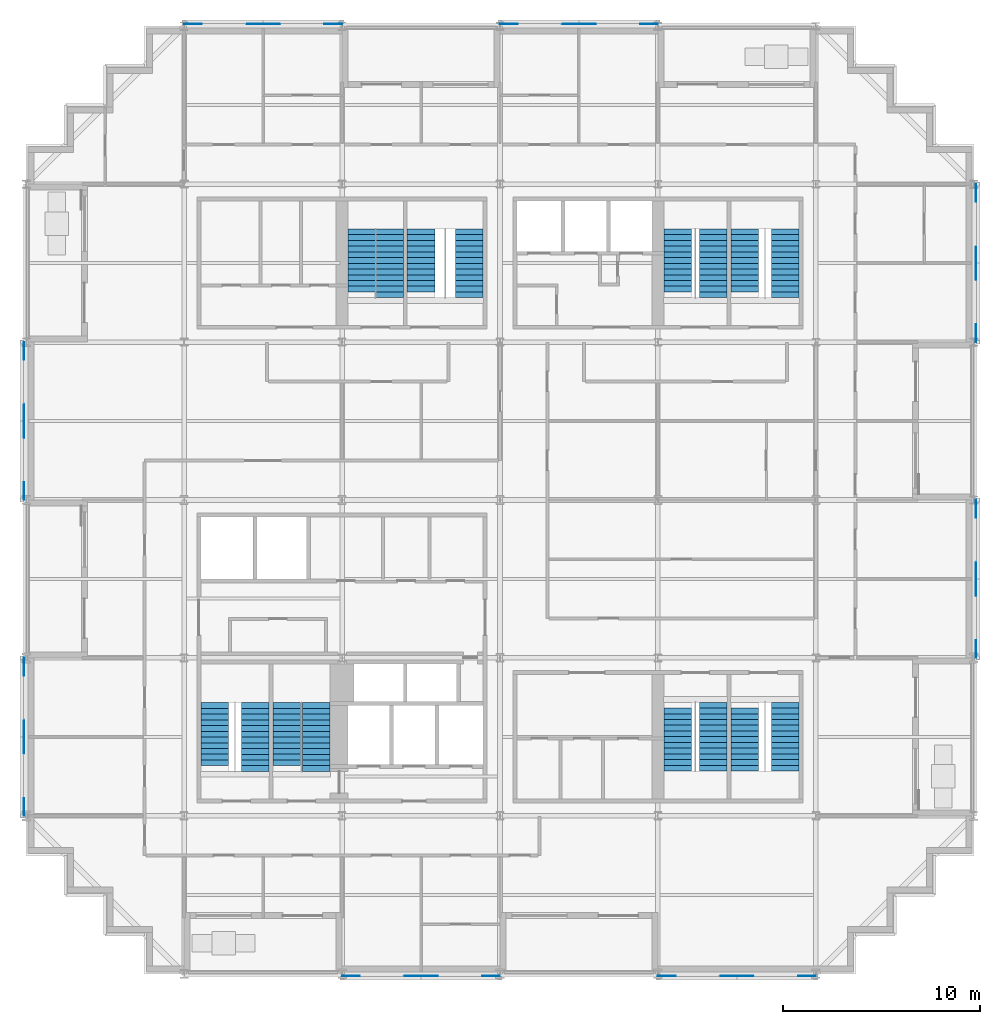
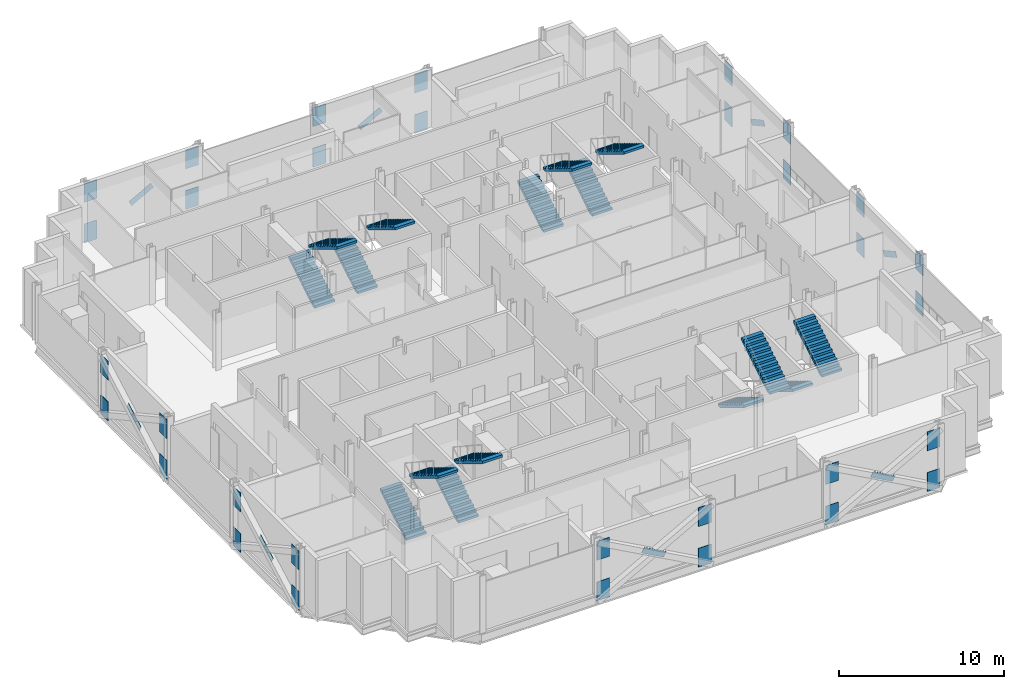
# One storey, part 12 of 15: 40 discrete accessories, 16 stair flights, 8 elements without a shape of their own.
"""IFC4 building model written with IfcOpenShell, lengths in metres."""

from ifc_helpers import new_model, si_unit, direction, frame, origin, origin_2d, place, context, subcontext, project, spatial, polyline, rectangle, outline, extrude, material, material_profile, profile_set, type_object, element, aggregate, save


model = new_model("IFC4")

# Units and contexts
model_context = context("Model", 3, precision=1e-05, world=origin(), true_north=direction((0.0, 1.0)))
body_context = subcontext(model_context, "Body", "Model", "MODEL_VIEW")
ifc_project = project(units=[si_unit("LENGTHUNIT", "METRE"), si_unit("AREAUNIT", "SQUARE_METRE"), si_unit("VOLUMEUNIT", "CUBIC_METRE"), si_unit("PLANEANGLEUNIT", "RADIAN"), si_unit("MASSUNIT", "GRAM", prefix="KILO")], contexts=[model_context])

# Site, building, storey
site_placement = place(None, origin())
site = spatial("IfcSite", under=ifc_project, at=site_placement, CompositionType="ELEMENT")
building_placement = place(site_placement, origin())
building = spatial("IfcBuilding", under=site, at=building_placement, Name="Immortelle Media Tower", CompositionType="ELEMENT")
storey_placement = place(building_placement, frame((0.0, 0.0, 65.60009765625)))
storey = spatial("IfcBuildingStorey", under=building, at=storey_placement, Name="L11", CompositionType="ELEMENT", Elevation=65.60009765625)

# Stair, stair flights
ifc_material_1 = material(Name="Steel ASTM A992 Gr 50", Category="steel")
stair_type = type_object("IfcStairType", Name="Stair with flights", PredefinedType="DOUBLE_RETURN_STAIR", material=ifc_material_1)
stair_1_placement = place(storey_placement, origin())
stair_1 = element("IfcStair", 1, at=stair_1_placement, inside=storey, type_object=stair_type, Name="Exit stair SW1", PredefinedType="DOUBLE_RETURN_STAIR")
stair_flight_type = type_object("IfcStairFlightType", Name="Stair flight 1400", PredefinedType="STRAIGHT", material=ifc_material_1)
stair_flight_1_placement = place(storey_placement, frame((9.550048828125, 10.5400390625, 0.0), z_axis=(0.0, 0.0, 1.0), x_axis=(0.0, 1.0, 0.0)))
stair_flight_1 = element("IfcStairFlight", 2, at=stair_flight_1_placement, type_object=stair_flight_type, Name="ST SW1 flight 1", NumberOfRisers=12, NumberOfTreads=11, PredefinedType="STRAIGHT", RiserHeight=0.176, TreadLength=0.29, context=body_context, shape_type="SweptSolid", body=[
    extrude(outline(polyline([(0.0, 0.0), (0.0, 0.176025390625), (0.2900390625, 0.176025390625), (0.2900390625, 0.35205078125), (0.580078125, 0.35205078125), (0.580078125, 0.528076171875), (0.8701171875, 0.528076171875), (0.8701171875, 0.7041015625), (1.159912109375, 0.7041015625), (1.159912109375, 0.8798828125), (1.449951171875, 0.8798828125), (1.449951171875, 1.055908203125), (1.739990234375, 1.055908203125), (1.739990234375, 1.23193359375), (2.030029296875, 1.23193359375), (2.030029296875, 1.407958984375), (2.320068359375, 1.407958984375), (2.320068359375, 1.583984375), (2.610107421875, 1.583984375), (2.610107421875, 1.760009765625), (2.89990234375, 1.760009765625), (2.89990234375, 1.93603515625), (3.18994140625, 1.93603515625), (3.18994140625, 2.112060546875), (3.18994140625, 1.7607421875), (0.288818359375, 0.0), (0.0, 0.0)])), frame((0.0, 0.699951171875, 0.0), z_axis=(0.0, -1.0, 0.0), x_axis=(1.0, 0.0, 0.0)), (0.0, 0.0, 1.0), 1.39990234375),
])
stair_flight_2_placement = place(storey_placement, frame((11.60009765625, 13.72998046875, 2.11181640625), z_axis=(0.0, 0.0, 1.0), x_axis=(0.0, -1.0, 0.0)))
stair_flight_2 = element("IfcStairFlight", 3, at=stair_flight_2_placement, type_object=stair_flight_type, Name="ST SW1 flight 2", NumberOfRisers=13, NumberOfTreads=12, PredefinedType="STRAIGHT", RiserHeight=0.176, TreadLength=0.29, context=body_context, shape_type="SweptSolid", body=[
    extrude(outline(polyline([(0.0, 0.0), (0.0, 0.176025390625), (0.2900390625, 0.176025390625), (0.2900390625, 0.35205078125), (0.580078125, 0.35205078125), (0.580078125, 0.528076171875), (0.8701171875, 0.528076171875), (0.8701171875, 0.7041015625), (1.159912109375, 0.7041015625), (1.159912109375, 0.8798828125), (1.449951171875, 0.8798828125), (1.449951171875, 1.055908203125), (1.739990234375, 1.055908203125), (1.739990234375, 1.23193359375), (2.030029296875, 1.23193359375), (2.030029296875, 1.407958984375), (2.320068359375, 1.407958984375), (2.320068359375, 1.583984375), (2.610107421875, 1.583984375), (2.610107421875, 1.760009765625), (2.89990234375, 1.760009765625), (2.89990234375, 1.93603515625), (3.18994140625, 1.93603515625), (3.18994140625, 2.112060546875), (3.47998046875, 2.112060546875), (3.47998046875, 2.2880859375), (3.47998046875, 1.936767578125), (0.288818359375, 0.0), (0.0, 0.0)])), frame((0.0, 0.699951171875, 0.0), z_axis=(0.0, -1.0, 0.0), x_axis=(1.0, 0.0, 0.0)), (0.0, 0.0, 1.0), 1.39990234375),
])
aggregate(stair_1, [stair_flight_1, stair_flight_2])

stair_2_placement = place(storey_placement, origin())
stair_2 = element("IfcStair", 4, at=stair_2_placement, inside=storey, type_object=stair_type, Name="Exit stair SW2", PredefinedType="DOUBLE_RETURN_STAIR")
stair_flight_3_placement = place(storey_placement, frame((13.199951171875, 10.5400390625, 0.0), z_axis=(0.0, 0.0, 1.0), x_axis=(0.0, 1.0, 0.0)))
stair_flight_3 = element("IfcStairFlight", 5, at=stair_flight_3_placement, type_object=stair_flight_type, Name="ST SW2 flight 1", NumberOfRisers=12, NumberOfTreads=11, PredefinedType="STRAIGHT", RiserHeight=0.176, TreadLength=0.29, context=body_context, shape_type="SweptSolid", body=[
    extrude(outline(polyline([(0.0, 0.0), (0.0, 0.176025390625), (0.2900390625, 0.176025390625), (0.2900390625, 0.35205078125), (0.580078125, 0.35205078125), (0.580078125, 0.528076171875), (0.8701171875, 0.528076171875), (0.8701171875, 0.7041015625), (1.159912109375, 0.7041015625), (1.159912109375, 0.8798828125), (1.449951171875, 0.8798828125), (1.449951171875, 1.055908203125), (1.739990234375, 1.055908203125), (1.739990234375, 1.23193359375), (2.030029296875, 1.23193359375), (2.030029296875, 1.407958984375), (2.320068359375, 1.407958984375), (2.320068359375, 1.583984375), (2.610107421875, 1.583984375), (2.610107421875, 1.760009765625), (2.89990234375, 1.760009765625), (2.89990234375, 1.93603515625), (3.18994140625, 1.93603515625), (3.18994140625, 2.112060546875), (3.18994140625, 1.7607421875), (0.288818359375, 0.0), (0.0, 0.0)])), frame((0.0, 0.699951171875, 0.0), z_axis=(0.0, -1.0, 0.0), x_axis=(1.0, 0.0, 0.0)), (0.0, 0.0, 1.0), 1.39990234375),
])
stair_flight_4_placement = place(storey_placement, frame((14.699951171875, 13.72998046875, 2.11181640625), z_axis=(0.0, 0.0, 1.0), x_axis=(0.0, -1.0, 0.0)))
stair_flight_4 = element("IfcStairFlight", 6, at=stair_flight_4_placement, type_object=stair_flight_type, Name="ST SW2 flight 2", NumberOfRisers=13, NumberOfTreads=12, PredefinedType="STRAIGHT", RiserHeight=0.176, TreadLength=0.29, context=body_context, shape_type="SweptSolid", body=[
    extrude(outline(polyline([(0.0, 0.0), (0.0, 0.176025390625), (0.2900390625, 0.176025390625), (0.2900390625, 0.35205078125), (0.580078125, 0.35205078125), (0.580078125, 0.528076171875), (0.8701171875, 0.528076171875), (0.8701171875, 0.7041015625), (1.159912109375, 0.7041015625), (1.159912109375, 0.8798828125), (1.449951171875, 0.8798828125), (1.449951171875, 1.055908203125), (1.739990234375, 1.055908203125), (1.739990234375, 1.23193359375), (2.030029296875, 1.23193359375), (2.030029296875, 1.407958984375), (2.320068359375, 1.407958984375), (2.320068359375, 1.583984375), (2.610107421875, 1.583984375), (2.610107421875, 1.760009765625), (2.89990234375, 1.760009765625), (2.89990234375, 1.93603515625), (3.18994140625, 1.93603515625), (3.18994140625, 2.112060546875), (3.47998046875, 2.112060546875), (3.47998046875, 2.2880859375), (3.47998046875, 1.936767578125), (0.288818359375, 0.0), (0.0, 0.0)])), frame((0.0, 0.699951171875, 0.0), z_axis=(0.0, -1.0, 0.0), x_axis=(1.0, 0.0, 0.0)), (0.0, 0.0, 1.0), 1.39990234375),
])
aggregate(stair_2, [stair_flight_3, stair_flight_4])

stair_3_placement = place(storey_placement, origin())
stair_3 = element("IfcStair", 7, at=stair_3_placement, inside=storey, type_object=stair_type, Name="Exit stair SE1", PredefinedType="DOUBLE_RETURN_STAIR")
stair_flight_5_placement = place(storey_placement, frame((33.0, 13.4599609375, 0.0), z_axis=(0.0, 0.0, 1.0), x_axis=(0.0, -1.0, 0.0)))
stair_flight_5 = element("IfcStairFlight", 8, at=stair_flight_5_placement, type_object=stair_flight_type, Name="ST SE1 flight 1", NumberOfRisers=12, NumberOfTreads=11, PredefinedType="STRAIGHT", RiserHeight=0.176, TreadLength=0.29, context=body_context, shape_type="SweptSolid", body=[
    extrude(outline(polyline([(0.0, 0.0), (0.0, 0.176025390625), (0.2900390625, 0.176025390625), (0.2900390625, 0.35205078125), (0.580078125, 0.35205078125), (0.580078125, 0.528076171875), (0.8701171875, 0.528076171875), (0.8701171875, 0.7041015625), (1.159912109375, 0.7041015625), (1.159912109375, 0.8798828125), (1.449951171875, 0.8798828125), (1.449951171875, 1.055908203125), (1.739990234375, 1.055908203125), (1.739990234375, 1.23193359375), (2.030029296875, 1.23193359375), (2.030029296875, 1.407958984375), (2.320068359375, 1.407958984375), (2.320068359375, 1.583984375), (2.610107421875, 1.583984375), (2.610107421875, 1.760009765625), (2.89990234375, 1.760009765625), (2.89990234375, 1.93603515625), (3.18994140625, 1.93603515625), (3.18994140625, 2.112060546875), (3.18994140625, 1.7607421875), (0.288818359375, 0.0), (0.0, 0.0)])), frame((0.0, 0.699951171875, 0.0), z_axis=(0.0, -1.0, 0.0), x_axis=(1.0, 0.0, 0.0)), (0.0, 0.0, 1.0), 1.39990234375),
])
stair_flight_6_placement = place(storey_placement, frame((34.800048828125, 10.27001953125, 2.11181640625), z_axis=(0.0, 0.0, 1.0), x_axis=(0.0, 1.0, 0.0)))
stair_flight_6 = element("IfcStairFlight", 9, at=stair_flight_6_placement, type_object=stair_flight_type, Name="ST SE1 flight 2", NumberOfRisers=13, NumberOfTreads=12, PredefinedType="STRAIGHT", RiserHeight=0.176, TreadLength=0.29, context=body_context, shape_type="SweptSolid", body=[
    extrude(outline(polyline([(0.0, 0.0), (0.0, 0.176025390625), (0.2900390625, 0.176025390625), (0.2900390625, 0.35205078125), (0.580078125, 0.35205078125), (0.580078125, 0.528076171875), (0.8701171875, 0.528076171875), (0.8701171875, 0.7041015625), (1.159912109375, 0.7041015625), (1.159912109375, 0.8798828125), (1.449951171875, 0.8798828125), (1.449951171875, 1.055908203125), (1.739990234375, 1.055908203125), (1.739990234375, 1.23193359375), (2.030029296875, 1.23193359375), (2.030029296875, 1.407958984375), (2.320068359375, 1.407958984375), (2.320068359375, 1.583984375), (2.610107421875, 1.583984375), (2.610107421875, 1.760009765625), (2.89990234375, 1.760009765625), (2.89990234375, 1.93603515625), (3.18994140625, 1.93603515625), (3.18994140625, 2.112060546875), (3.47998046875, 2.112060546875), (3.47998046875, 2.2880859375), (3.47998046875, 1.936767578125), (0.288818359375, 0.0), (0.0, 0.0)])), frame((0.0, 0.699951171875, 0.0), z_axis=(0.0, -1.0, 0.0), x_axis=(1.0, 0.0, 0.0)), (0.0, 0.0, 1.0), 1.39990234375),
])
aggregate(stair_3, [stair_flight_5, stair_flight_6])

stair_4_placement = place(storey_placement, origin())
stair_4 = element("IfcStair", 10, at=stair_4_placement, inside=storey, type_object=stair_type, Name="Exit stair SE2", PredefinedType="DOUBLE_RETURN_STAIR")
stair_flight_7_placement = place(storey_placement, frame((36.39990234375, 13.4599609375, 0.0), z_axis=(0.0, 0.0, 1.0), x_axis=(0.0, -1.0, 0.0)))
stair_flight_7 = element("IfcStairFlight", 11, at=stair_flight_7_placement, type_object=stair_flight_type, Name="ST SE2 flight 1", NumberOfRisers=12, NumberOfTreads=11, PredefinedType="STRAIGHT", RiserHeight=0.176, TreadLength=0.29, context=body_context, shape_type="SweptSolid", body=[
    extrude(outline(polyline([(0.0, 0.0), (0.0, 0.176025390625), (0.2900390625, 0.176025390625), (0.2900390625, 0.35205078125), (0.580078125, 0.35205078125), (0.580078125, 0.528076171875), (0.8701171875, 0.528076171875), (0.8701171875, 0.7041015625), (1.159912109375, 0.7041015625), (1.159912109375, 0.8798828125), (1.449951171875, 0.8798828125), (1.449951171875, 1.055908203125), (1.739990234375, 1.055908203125), (1.739990234375, 1.23193359375), (2.030029296875, 1.23193359375), (2.030029296875, 1.407958984375), (2.320068359375, 1.407958984375), (2.320068359375, 1.583984375), (2.610107421875, 1.583984375), (2.610107421875, 1.760009765625), (2.89990234375, 1.760009765625), (2.89990234375, 1.93603515625), (3.18994140625, 1.93603515625), (3.18994140625, 2.112060546875), (3.18994140625, 1.7607421875), (0.288818359375, 0.0), (0.0, 0.0)])), frame((0.0, 0.699951171875, 0.0), z_axis=(0.0, -1.0, 0.0), x_axis=(1.0, 0.0, 0.0)), (0.0, 0.0, 1.0), 1.39990234375),
])
stair_flight_8_placement = place(storey_placement, frame((38.449951171875, 10.27001953125, 2.11181640625), z_axis=(0.0, 0.0, 1.0), x_axis=(0.0, 1.0, 0.0)))
stair_flight_8 = element("IfcStairFlight", 12, at=stair_flight_8_placement, type_object=stair_flight_type, Name="ST SE2 flight 2", NumberOfRisers=13, NumberOfTreads=12, PredefinedType="STRAIGHT", RiserHeight=0.176, TreadLength=0.29, context=body_context, shape_type="SweptSolid", body=[
    extrude(outline(polyline([(0.0, 0.0), (0.0, 0.176025390625), (0.2900390625, 0.176025390625), (0.2900390625, 0.35205078125), (0.580078125, 0.35205078125), (0.580078125, 0.528076171875), (0.8701171875, 0.528076171875), (0.8701171875, 0.7041015625), (1.159912109375, 0.7041015625), (1.159912109375, 0.8798828125), (1.449951171875, 0.8798828125), (1.449951171875, 1.055908203125), (1.739990234375, 1.055908203125), (1.739990234375, 1.23193359375), (2.030029296875, 1.23193359375), (2.030029296875, 1.407958984375), (2.320068359375, 1.407958984375), (2.320068359375, 1.583984375), (2.610107421875, 1.583984375), (2.610107421875, 1.760009765625), (2.89990234375, 1.760009765625), (2.89990234375, 1.93603515625), (3.18994140625, 1.93603515625), (3.18994140625, 2.112060546875), (3.47998046875, 2.112060546875), (3.47998046875, 2.2880859375), (3.47998046875, 1.936767578125), (0.288818359375, 0.0), (0.0, 0.0)])), frame((0.0, 0.699951171875, 0.0), z_axis=(0.0, -1.0, 0.0), x_axis=(1.0, 0.0, 0.0)), (0.0, 0.0, 1.0), 1.39990234375),
])
aggregate(stair_4, [stair_flight_7, stair_flight_8])

stair_5_placement = place(storey_placement, origin())
stair_5 = element("IfcStair", 13, at=stair_5_placement, inside=storey, type_object=stair_type, Name="Exit stair NW1", PredefinedType="DOUBLE_RETURN_STAIR")
stair_flight_9_placement = place(storey_placement, frame((17.0, 34.5400390625, 0.0), z_axis=(0.0, 0.0, 1.0), x_axis=(0.0, 1.0, 0.0)))
stair_flight_9 = element("IfcStairFlight", 14, at=stair_flight_9_placement, type_object=stair_flight_type, Name="ST NW1 flight 1", NumberOfRisers=12, NumberOfTreads=11, PredefinedType="STRAIGHT", RiserHeight=0.176, TreadLength=0.29, context=body_context, shape_type="SweptSolid", body=[
    extrude(outline(polyline([(0.0, 0.0), (0.0, 0.176025390625), (0.2900390625, 0.176025390625), (0.2900390625, 0.35205078125), (0.580078125, 0.35205078125), (0.580078125, 0.528076171875), (0.8701171875, 0.528076171875), (0.8701171875, 0.7041015625), (1.159912109375, 0.7041015625), (1.159912109375, 0.8798828125), (1.449951171875, 0.8798828125), (1.449951171875, 1.055908203125), (1.739990234375, 1.055908203125), (1.739990234375, 1.23193359375), (2.030029296875, 1.23193359375), (2.030029296875, 1.407958984375), (2.320068359375, 1.407958984375), (2.320068359375, 1.583984375), (2.610107421875, 1.583984375), (2.610107421875, 1.760009765625), (2.89990234375, 1.760009765625), (2.89990234375, 1.93603515625), (3.18994140625, 1.93603515625), (3.18994140625, 2.112060546875), (3.18994140625, 1.7607421875), (0.288818359375, 0.0), (0.0, 0.0)])), frame((0.0, 0.699951171875, 0.0), z_axis=(0.0, -1.0, 0.0), x_axis=(1.0, 0.0, 0.0)), (0.0, 0.0, 1.0), 1.39990234375),
])
stair_flight_10_placement = place(storey_placement, frame((18.39990234375, 37.72998046875, 2.11181640625), z_axis=(0.0, 0.0, 1.0), x_axis=(0.0, -1.0, 0.0)))
stair_flight_10 = element("IfcStairFlight", 15, at=stair_flight_10_placement, type_object=stair_flight_type, Name="ST NW1 flight 2", NumberOfRisers=13, NumberOfTreads=12, PredefinedType="STRAIGHT", RiserHeight=0.176, TreadLength=0.29, context=body_context, shape_type="SweptSolid", body=[
    extrude(outline(polyline([(0.0, 0.0), (0.0, 0.176025390625), (0.2900390625, 0.176025390625), (0.2900390625, 0.35205078125), (0.580078125, 0.35205078125), (0.580078125, 0.528076171875), (0.8701171875, 0.528076171875), (0.8701171875, 0.7041015625), (1.159912109375, 0.7041015625), (1.159912109375, 0.8798828125), (1.449951171875, 0.8798828125), (1.449951171875, 1.055908203125), (1.739990234375, 1.055908203125), (1.739990234375, 1.23193359375), (2.030029296875, 1.23193359375), (2.030029296875, 1.407958984375), (2.320068359375, 1.407958984375), (2.320068359375, 1.583984375), (2.610107421875, 1.583984375), (2.610107421875, 1.760009765625), (2.89990234375, 1.760009765625), (2.89990234375, 1.93603515625), (3.18994140625, 1.93603515625), (3.18994140625, 2.112060546875), (3.47998046875, 2.112060546875), (3.47998046875, 2.2880859375), (3.47998046875, 1.936767578125), (0.288818359375, 0.0), (0.0, 0.0)])), frame((0.0, 0.699951171875, 0.0), z_axis=(0.0, -1.0, 0.0), x_axis=(1.0, 0.0, 0.0)), (0.0, 0.0, 1.0), 1.39990234375),
])
aggregate(stair_5, [stair_flight_9, stair_flight_10])

stair_6_placement = place(storey_placement, origin())
stair_6 = element("IfcStair", 16, at=stair_6_placement, inside=storey, type_object=stair_type, Name="Exit stair NW2", PredefinedType="DOUBLE_RETURN_STAIR")
stair_flight_11_placement = place(storey_placement, frame((20.0, 34.5400390625, 0.0), z_axis=(0.0, 0.0, 1.0), x_axis=(0.0, 1.0, 0.0)))
stair_flight_11 = element("IfcStairFlight", 17, at=stair_flight_11_placement, type_object=stair_flight_type, Name="ST NW2 flight 1", NumberOfRisers=12, NumberOfTreads=11, PredefinedType="STRAIGHT", RiserHeight=0.176, TreadLength=0.29, context=body_context, shape_type="SweptSolid", body=[
    extrude(outline(polyline([(0.0, 0.0), (0.0, 0.176025390625), (0.2900390625, 0.176025390625), (0.2900390625, 0.35205078125), (0.580078125, 0.35205078125), (0.580078125, 0.528076171875), (0.8701171875, 0.528076171875), (0.8701171875, 0.7041015625), (1.159912109375, 0.7041015625), (1.159912109375, 0.8798828125), (1.449951171875, 0.8798828125), (1.449951171875, 1.055908203125), (1.739990234375, 1.055908203125), (1.739990234375, 1.23193359375), (2.030029296875, 1.23193359375), (2.030029296875, 1.407958984375), (2.320068359375, 1.407958984375), (2.320068359375, 1.583984375), (2.610107421875, 1.583984375), (2.610107421875, 1.760009765625), (2.89990234375, 1.760009765625), (2.89990234375, 1.93603515625), (3.18994140625, 1.93603515625), (3.18994140625, 2.112060546875), (3.18994140625, 1.7607421875), (0.288818359375, 0.0), (0.0, 0.0)])), frame((0.0, 0.699951171875, 0.0), z_axis=(0.0, -1.0, 0.0), x_axis=(1.0, 0.0, 0.0)), (0.0, 0.0, 1.0), 1.39990234375),
])
stair_flight_12_placement = place(storey_placement, frame((22.449951171875, 37.72998046875, 2.11181640625), z_axis=(0.0, 0.0, 1.0), x_axis=(0.0, -1.0, 0.0)))
stair_flight_12 = element("IfcStairFlight", 18, at=stair_flight_12_placement, type_object=stair_flight_type, Name="ST NW2 flight 2", NumberOfRisers=13, NumberOfTreads=12, PredefinedType="STRAIGHT", RiserHeight=0.176, TreadLength=0.29, context=body_context, shape_type="SweptSolid", body=[
    extrude(outline(polyline([(0.0, 0.0), (0.0, 0.176025390625), (0.2900390625, 0.176025390625), (0.2900390625, 0.35205078125), (0.580078125, 0.35205078125), (0.580078125, 0.528076171875), (0.8701171875, 0.528076171875), (0.8701171875, 0.7041015625), (1.159912109375, 0.7041015625), (1.159912109375, 0.8798828125), (1.449951171875, 0.8798828125), (1.449951171875, 1.055908203125), (1.739990234375, 1.055908203125), (1.739990234375, 1.23193359375), (2.030029296875, 1.23193359375), (2.030029296875, 1.407958984375), (2.320068359375, 1.407958984375), (2.320068359375, 1.583984375), (2.610107421875, 1.583984375), (2.610107421875, 1.760009765625), (2.89990234375, 1.760009765625), (2.89990234375, 1.93603515625), (3.18994140625, 1.93603515625), (3.18994140625, 2.112060546875), (3.47998046875, 2.112060546875), (3.47998046875, 2.2880859375), (3.47998046875, 1.936767578125), (0.288818359375, 0.0), (0.0, 0.0)])), frame((0.0, 0.699951171875, 0.0), z_axis=(0.0, -1.0, 0.0), x_axis=(1.0, 0.0, 0.0)), (0.0, 0.0, 1.0), 1.39990234375),
])
aggregate(stair_6, [stair_flight_11, stair_flight_12])

stair_7_placement = place(storey_placement, origin())
stair_7 = element("IfcStair", 19, at=stair_7_placement, inside=storey, type_object=stair_type, Name="Exit stair NE1", PredefinedType="DOUBLE_RETURN_STAIR")
stair_flight_13_placement = place(storey_placement, frame((33.0, 34.5400390625, 0.0), z_axis=(0.0, 0.0, 1.0), x_axis=(0.0, 1.0, 0.0)))
stair_flight_13 = element("IfcStairFlight", 20, at=stair_flight_13_placement, type_object=stair_flight_type, Name="ST NE1 flight 1", NumberOfRisers=12, NumberOfTreads=11, PredefinedType="STRAIGHT", RiserHeight=0.176, TreadLength=0.29, context=body_context, shape_type="SweptSolid", body=[
    extrude(outline(polyline([(0.0, 0.0), (0.0, 0.176025390625), (0.2900390625, 0.176025390625), (0.2900390625, 0.35205078125), (0.580078125, 0.35205078125), (0.580078125, 0.528076171875), (0.8701171875, 0.528076171875), (0.8701171875, 0.7041015625), (1.159912109375, 0.7041015625), (1.159912109375, 0.8798828125), (1.449951171875, 0.8798828125), (1.449951171875, 1.055908203125), (1.739990234375, 1.055908203125), (1.739990234375, 1.23193359375), (2.030029296875, 1.23193359375), (2.030029296875, 1.407958984375), (2.320068359375, 1.407958984375), (2.320068359375, 1.583984375), (2.610107421875, 1.583984375), (2.610107421875, 1.760009765625), (2.89990234375, 1.760009765625), (2.89990234375, 1.93603515625), (3.18994140625, 1.93603515625), (3.18994140625, 2.112060546875), (3.18994140625, 1.7607421875), (0.288818359375, 0.0), (0.0, 0.0)])), frame((0.0, 0.699951171875, 0.0), z_axis=(0.0, -1.0, 0.0), x_axis=(1.0, 0.0, 0.0)), (0.0, 0.0, 1.0), 1.39990234375),
])
stair_flight_14_placement = place(storey_placement, frame((34.800048828125, 37.72998046875, 2.11181640625), z_axis=(0.0, 0.0, 1.0), x_axis=(0.0, -1.0, 0.0)))
stair_flight_14 = element("IfcStairFlight", 21, at=stair_flight_14_placement, type_object=stair_flight_type, Name="ST NE1 flight 2", NumberOfRisers=13, NumberOfTreads=12, PredefinedType="STRAIGHT", RiserHeight=0.176, TreadLength=0.29, context=body_context, shape_type="SweptSolid", body=[
    extrude(outline(polyline([(0.0, 0.0), (0.0, 0.176025390625), (0.2900390625, 0.176025390625), (0.2900390625, 0.35205078125), (0.580078125, 0.35205078125), (0.580078125, 0.528076171875), (0.8701171875, 0.528076171875), (0.8701171875, 0.7041015625), (1.159912109375, 0.7041015625), (1.159912109375, 0.8798828125), (1.449951171875, 0.8798828125), (1.449951171875, 1.055908203125), (1.739990234375, 1.055908203125), (1.739990234375, 1.23193359375), (2.030029296875, 1.23193359375), (2.030029296875, 1.407958984375), (2.320068359375, 1.407958984375), (2.320068359375, 1.583984375), (2.610107421875, 1.583984375), (2.610107421875, 1.760009765625), (2.89990234375, 1.760009765625), (2.89990234375, 1.93603515625), (3.18994140625, 1.93603515625), (3.18994140625, 2.112060546875), (3.47998046875, 2.112060546875), (3.47998046875, 2.2880859375), (3.47998046875, 1.936767578125), (0.288818359375, 0.0), (0.0, 0.0)])), frame((0.0, 0.699951171875, 0.0), z_axis=(0.0, -1.0, 0.0), x_axis=(1.0, 0.0, 0.0)), (0.0, 0.0, 1.0), 1.39990234375),
])
aggregate(stair_7, [stair_flight_13, stair_flight_14])

stair_8_placement = place(storey_placement, origin())
stair_8 = element("IfcStair", 22, at=stair_8_placement, inside=storey, type_object=stair_type, Name="Exit stair NE2", PredefinedType="DOUBLE_RETURN_STAIR")
stair_flight_15_placement = place(storey_placement, frame((36.39990234375, 34.5400390625, 0.0), z_axis=(0.0, 0.0, 1.0), x_axis=(0.0, 1.0, 0.0)))
stair_flight_15 = element("IfcStairFlight", 23, at=stair_flight_15_placement, type_object=stair_flight_type, Name="ST NE2 flight 1", NumberOfRisers=12, NumberOfTreads=11, PredefinedType="STRAIGHT", RiserHeight=0.176, TreadLength=0.29, context=body_context, shape_type="SweptSolid", body=[
    extrude(outline(polyline([(0.0, 0.0), (0.0, 0.176025390625), (0.2900390625, 0.176025390625), (0.2900390625, 0.35205078125), (0.580078125, 0.35205078125), (0.580078125, 0.528076171875), (0.8701171875, 0.528076171875), (0.8701171875, 0.7041015625), (1.159912109375, 0.7041015625), (1.159912109375, 0.8798828125), (1.449951171875, 0.8798828125), (1.449951171875, 1.055908203125), (1.739990234375, 1.055908203125), (1.739990234375, 1.23193359375), (2.030029296875, 1.23193359375), (2.030029296875, 1.407958984375), (2.320068359375, 1.407958984375), (2.320068359375, 1.583984375), (2.610107421875, 1.583984375), (2.610107421875, 1.760009765625), (2.89990234375, 1.760009765625), (2.89990234375, 1.93603515625), (3.18994140625, 1.93603515625), (3.18994140625, 2.112060546875), (3.18994140625, 1.7607421875), (0.288818359375, 0.0), (0.0, 0.0)])), frame((0.0, 0.699951171875, 0.0), z_axis=(0.0, -1.0, 0.0), x_axis=(1.0, 0.0, 0.0)), (0.0, 0.0, 1.0), 1.39990234375),
])
stair_flight_16_placement = place(storey_placement, frame((38.449951171875, 37.72998046875, 2.11181640625), z_axis=(0.0, 0.0, 1.0), x_axis=(0.0, -1.0, 0.0)))
stair_flight_16 = element("IfcStairFlight", 24, at=stair_flight_16_placement, type_object=stair_flight_type, Name="ST NE2 flight 2", NumberOfRisers=13, NumberOfTreads=12, PredefinedType="STRAIGHT", RiserHeight=0.176, TreadLength=0.29, context=body_context, shape_type="SweptSolid", body=[
    extrude(outline(polyline([(0.0, 0.0), (0.0, 0.176025390625), (0.2900390625, 0.176025390625), (0.2900390625, 0.35205078125), (0.580078125, 0.35205078125), (0.580078125, 0.528076171875), (0.8701171875, 0.528076171875), (0.8701171875, 0.7041015625), (1.159912109375, 0.7041015625), (1.159912109375, 0.8798828125), (1.449951171875, 0.8798828125), (1.449951171875, 1.055908203125), (1.739990234375, 1.055908203125), (1.739990234375, 1.23193359375), (2.030029296875, 1.23193359375), (2.030029296875, 1.407958984375), (2.320068359375, 1.407958984375), (2.320068359375, 1.583984375), (2.610107421875, 1.583984375), (2.610107421875, 1.760009765625), (2.89990234375, 1.760009765625), (2.89990234375, 1.93603515625), (3.18994140625, 1.93603515625), (3.18994140625, 2.112060546875), (3.47998046875, 2.112060546875), (3.47998046875, 2.2880859375), (3.47998046875, 1.936767578125), (0.288818359375, 0.0), (0.0, 0.0)])), frame((0.0, 0.699951171875, 0.0), z_axis=(0.0, -1.0, 0.0), x_axis=(1.0, 0.0, 0.0)), (0.0, 0.0, 1.0), 1.39990234375),
])
aggregate(stair_8, [stair_flight_15, stair_flight_16])

# Discrete accessories
ifc_material_2 = material(Name="Steel ASTM A572 Gr 50", Category="steel")
ifc_material_profile_1 = material_profile(ifc_material_2, rectangle(XDim=0.031982421875, YDim=0.406005859375, at=origin_2d()), Name="PL 32 x 406")
ifc_profile_set_1 = profile_set([ifc_material_profile_1], Name="Steel ASTM A572 Gr 50")
discrete_accessory_type_1 = type_object("IfcDiscreteAccessoryType", Name="Crossing plate XP-BR3 1750 x 406 x 32", PredefinedType="USERDEFINED", material=ifc_profile_set_1)
for number, where, z_axis, x_axis, name in (
    (25, (-0.113037109375, 28.7666015625, 2.125), (0.0, -0.876215908677, -0.481918749772), (1.0, 0.0, 0.0), "Crossing plate XP-BR3 of Brace 1/D-E A and Brace 1/D-E B"),
    (26, (-0.113037109375, 12.7666015625, 2.125), (0.0, -0.876215908677, -0.481918749772), (1.0, 0.0, 0.0), "Crossing plate XP-BR3 of Brace 1/B-C A and Brace 1/B-C B"),
    (27, (48.113037109375, 19.2333984375, 2.125), (0.0, 0.876215908677, -0.481918749772), (-1.0, 0.0, 0.0), "Crossing plate XP-BR3 of Brace 7/C-D A and Brace 7/C-D B"),
    (28, (48.113037109375, 35.2333984375, 2.125), (0.0, 0.876215908677, -0.481918749772), (-1.0, 0.0, 0.0), "Crossing plate XP-BR3 of Brace 7/E-F A and Brace 7/E-F B"),
    (29, (28.7666015625, 48.113037109375, 2.125), (-0.876215908677, 0.0, -0.481918749772), (0.0, -1.0, 0.0), "Crossing plate XP-BR3 of Brace G/4-5 A and Brace G/4-5 B"),
    (30, (12.7666015625, 48.113037109375, 2.125), (-0.876215908677, 0.0, -0.481918749772), (0.0, -1.0, 0.0), "Crossing plate XP-BR3 of Brace G/2-3 A and Brace G/2-3 B"),
    (31, (19.2333984375, -0.113037109375, 2.125), (0.876215908677, 0.0, -0.481918749772), (0.0, 1.0, 0.0), "Crossing plate XP-BR3 of Brace A/3-4 A and Brace A/3-4 B"),
    (32, (35.2333984375, -0.113037109375, 2.125), (0.876215908677, 0.0, -0.481918749772), (0.0, 1.0, 0.0), "Crossing plate XP-BR3 of Brace A/5-6 A and Brace A/5-6 B"),
):
    element("IfcDiscreteAccessory", number, at=place(storey_placement, frame(where, z_axis=z_axis, x_axis=x_axis)), inside=storey, type_object=discrete_accessory_type_1, Name=name, ObjectType="CROSSING PLATE", PredefinedType="USERDEFINED", context=body_context, shape_type="SweptSolid", body=[
        extrude(rectangle(XDim=0.031982421875, YDim=0.406005859375, at=origin_2d()), origin(), (0.0, 0.0, 1.0), 1.749755859375),
    ])
ifc_material_profile_2 = material_profile(ifc_material_2, rectangle(XDim=0.031982421875, YDim=1.39990234375, at=origin_2d()), Name="PL 32 x 1400")
ifc_profile_set_2 = profile_set([ifc_material_profile_2], Name="Steel ASTM A572 Gr 50")
discrete_accessory_type_2 = type_object("IfcDiscreteAccessoryType", Name="Gusset plate GP1 900 x 1400 x 32", PredefinedType="USERDEFINED", material=ifc_profile_set_2)
for number, where, z_axis, x_axis, name in (
    (33, (-0.113037109375, 32.0, 0.203369140625), (0.0, -1.0, 0.0), (1.0, 0.0, 0.0), "Gusset plate GP1, lower end of Brace 1/D-E A"),
    (34, (-0.113037109375, 24.0, 3.203369140625), (0.0, 1.0, 0.0), (-1.0, 0.0, 0.0), "Gusset plate GP1, upper end of Brace 1/D-E A"),
    (35, (-0.113037109375, 24.0, 0.203369140625), (0.0, 1.0, 0.0), (-1.0, 0.0, 0.0), "Gusset plate GP1, lower end of Brace 1/D-E B"),
    (36, (-0.113037109375, 32.0, 3.203369140625), (0.0, -1.0, 0.0), (1.0, 0.0, 0.0), "Gusset plate GP1, upper end of Brace 1/D-E B"),
    (37, (-0.113037109375, 16.0, 0.203369140625), (0.0, -1.0, 0.0), (1.0, 0.0, 0.0), "Gusset plate GP1, lower end of Brace 1/B-C A"),
    (38, (-0.113037109375, 8.0, 3.203369140625), (0.0, 1.0, 0.0), (-1.0, 0.0, 0.0), "Gusset plate GP1, upper end of Brace 1/B-C A"),
    (39, (-0.113037109375, 8.0, 0.203369140625), (0.0, 1.0, 0.0), (-1.0, 0.0, 0.0), "Gusset plate GP1, lower end of Brace 1/B-C B"),
    (40, (-0.113037109375, 16.0, 3.203369140625), (0.0, -1.0, 0.0), (1.0, 0.0, 0.0), "Gusset plate GP1, upper end of Brace 1/B-C B"),
    (41, (16.0, -0.113037109375, 0.203369140625), (1.0, 0.0, 0.0), (0.0, 1.0, 0.0), "Gusset plate GP1, lower end of Brace A/3-4 A"),
    (42, (24.0, -0.113037109375, 3.203369140625), (-1.0, 0.0, 0.0), (0.0, -1.0, 0.0), "Gusset plate GP1, upper end of Brace A/3-4 A"),
    (43, (24.0, -0.113037109375, 0.203369140625), (-1.0, 0.0, 0.0), (0.0, -1.0, 0.0), "Gusset plate GP1, lower end of Brace A/3-4 B"),
    (44, (16.0, -0.113037109375, 3.203369140625), (1.0, 0.0, 0.0), (0.0, 1.0, 0.0), "Gusset plate GP1, upper end of Brace A/3-4 B"),
    (45, (32.0, -0.113037109375, 0.203369140625), (1.0, 0.0, 0.0), (0.0, 1.0, 0.0), "Gusset plate GP1, lower end of Brace A/5-6 A"),
    (46, (40.0, -0.113037109375, 3.203369140625), (-1.0, 0.0, 0.0), (0.0, -1.0, 0.0), "Gusset plate GP1, upper end of Brace A/5-6 A"),
    (47, (40.0, -0.113037109375, 0.203369140625), (-1.0, 0.0, 0.0), (0.0, -1.0, 0.0), "Gusset plate GP1, lower end of Brace A/5-6 B"),
    (48, (32.0, -0.113037109375, 3.203369140625), (1.0, 0.0, 0.0), (0.0, 1.0, 0.0), "Gusset plate GP1, upper end of Brace A/5-6 B"),
    (49, (48.113037109375, 16.0, 0.203369140625), (0.0, 1.0, 0.0), (-1.0, 0.0, 0.0), "Gusset plate GP1, lower end of Brace 7/C-D A"),
    (50, (48.113037109375, 24.0, 3.203369140625), (0.0, -1.0, 0.0), (1.0, 0.0, 0.0), "Gusset plate GP1, upper end of Brace 7/C-D A"),
    (51, (48.113037109375, 24.0, 0.203369140625), (0.0, -1.0, 0.0), (1.0, 0.0, 0.0), "Gusset plate GP1, lower end of Brace 7/C-D B"),
    (52, (48.113037109375, 16.0, 3.203369140625), (0.0, 1.0, 0.0), (-1.0, 0.0, 0.0), "Gusset plate GP1, upper end of Brace 7/C-D B"),
    (53, (48.113037109375, 32.0, 0.203369140625), (0.0, 1.0, 0.0), (-1.0, 0.0, 0.0), "Gusset plate GP1, lower end of Brace 7/E-F A"),
    (54, (48.113037109375, 40.0, 3.203369140625), (0.0, -1.0, 0.0), (1.0, 0.0, 0.0), "Gusset plate GP1, upper end of Brace 7/E-F A"),
    (55, (48.113037109375, 40.0, 0.203369140625), (0.0, -1.0, 0.0), (1.0, 0.0, 0.0), "Gusset plate GP1, lower end of Brace 7/E-F B"),
    (56, (48.113037109375, 32.0, 3.203369140625), (0.0, 1.0, 0.0), (-1.0, 0.0, 0.0), "Gusset plate GP1, upper end of Brace 7/E-F B"),
    (57, (32.0, 48.113037109375, 0.203369140625), (-1.0, 0.0, 0.0), (0.0, -1.0, 0.0), "Gusset plate GP1, lower end of Brace G/4-5 A"),
    (58, (24.0, 48.113037109375, 3.203369140625), (1.0, 0.0, 0.0), (0.0, 1.0, 0.0), "Gusset plate GP1, upper end of Brace G/4-5 A"),
    (59, (24.0, 48.113037109375, 0.203369140625), (1.0, 0.0, 0.0), (0.0, 1.0, 0.0), "Gusset plate GP1, lower end of Brace G/4-5 B"),
    (60, (32.0, 48.113037109375, 3.203369140625), (-1.0, 0.0, 0.0), (0.0, -1.0, 0.0), "Gusset plate GP1, upper end of Brace G/4-5 B"),
    (61, (16.0, 48.113037109375, 0.203369140625), (-1.0, 0.0, 0.0), (0.0, -1.0, 0.0), "Gusset plate GP1, lower end of Brace G/2-3 A"),
    (62, (8.0, 48.113037109375, 3.203369140625), (1.0, 0.0, 0.0), (0.0, 1.0, 0.0), "Gusset plate GP1, upper end of Brace G/2-3 A"),
    (63, (8.0, 48.113037109375, 0.203369140625), (1.0, 0.0, 0.0), (0.0, 1.0, 0.0), "Gusset plate GP1, lower end of Brace G/2-3 B"),
    (64, (16.0, 48.113037109375, 3.203369140625), (-1.0, 0.0, 0.0), (0.0, -1.0, 0.0), "Gusset plate GP1, upper end of Brace G/2-3 B"),
):
    element("IfcDiscreteAccessory", number, at=place(storey_placement, frame(where, z_axis=z_axis, x_axis=x_axis)), inside=storey, type_object=discrete_accessory_type_2, Name=name, ObjectType="GUSSET PLATE", PredefinedType="USERDEFINED", context=body_context, shape_type="SweptSolid", body=[
        extrude(rectangle(XDim=0.031982421875, YDim=1.39990234375, at=origin_2d()), origin(), (0.0, 0.0, 1.0), 0.89990234375),
    ])

save(model, "model.ifc")
